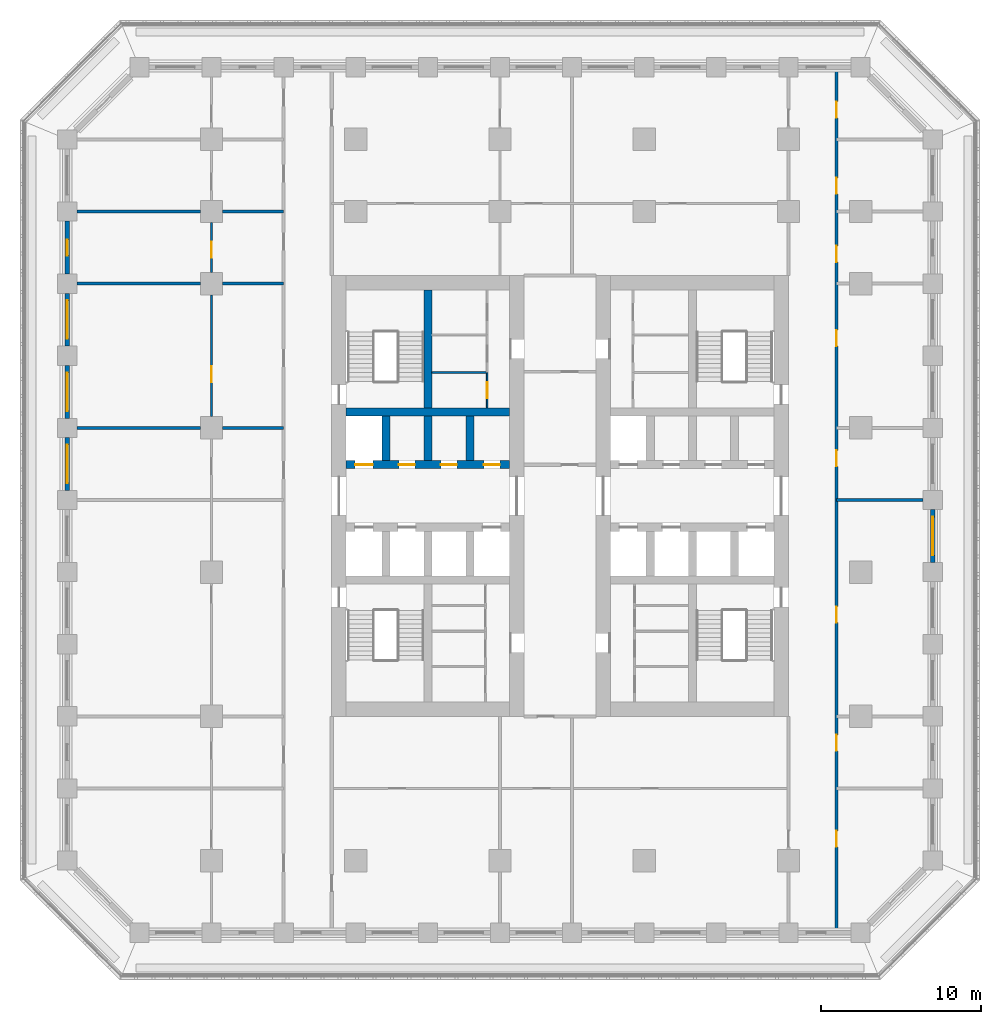
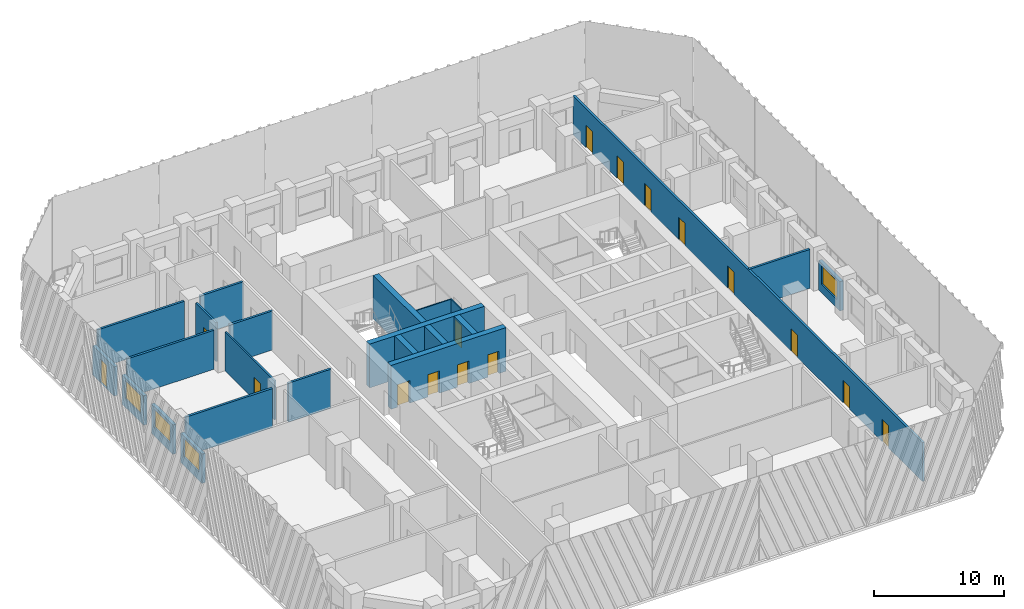
# One storey, part 6 of 19: 23 walls, 16 doors, 4 windows, 20 openings.
"""IFC4 building model written with IfcOpenShell, lengths in metres."""

from ifc_helpers import new_model, si_unit, direction, frame, frame_2d, origin, place, context, subcontext, project, spatial, rectangle, extrude, material, layer, layer_set, type_object, element, fill, save


model = new_model("IFC4")

# Units and contexts
model_context = context("Model", 3, precision=1e-05, world=origin(), true_north=direction((0.0, 1.0)))
body_context = subcontext(model_context, "Body", "Model", "MODEL_VIEW")
ifc_project = project(units=[si_unit("LENGTHUNIT", "METRE"), si_unit("AREAUNIT", "SQUARE_METRE"), si_unit("VOLUMEUNIT", "CUBIC_METRE"), si_unit("PLANEANGLEUNIT", "RADIAN"), si_unit("MASSUNIT", "GRAM", prefix="KILO")], contexts=[model_context])

# Site, building, storey
site_placement = place(None, origin())
site = spatial("IfcSite", under=ifc_project, at=site_placement, CompositionType="ELEMENT")
building_placement = place(site_placement, origin())
building = spatial("IfcBuilding", under=site, at=building_placement, Name="Corbel Stack Research Tower", CompositionType="ELEMENT")
storey_placement = place(building_placement, frame((0.0, 0.0, 133.10009765625)))
storey = spatial("IfcBuildingStorey", under=building, at=storey_placement, Name="L30", CompositionType="ELEMENT", Elevation=133.10009765625)

# Wall, openings, doors
ifc_material_1 = material(Name="Concrete C70/85", Category="concrete")
ifc_layer_1 = layer(ifc_material_1, 0.5)
ifc_layer_set_1 = layer_set([ifc_layer_1], Name="Concrete C70/85")
wall_type_1 = type_object("IfcWallType", Name="CW-500-70", PredefinedType="SHEAR", material=ifc_layer_set_1)
wall_1_placement = place(storey_placement, frame((-9.60009765625, 6.699951171875, 0.0), z_axis=(0.0, 0.0, 1.0), x_axis=(1.0, 0.0, 0.0)))
wall_1 = element("IfcWall", 1, at=wall_1_placement, inside=storey, type_object=wall_type_1, Name="West core wall, lobby north L30", PredefinedType="SHEAR", context=body_context, shape_type="SweptSolid", body=[
    extrude(rectangle(XDim=10.2001953125, YDim=0.5, at=frame_2d((5.10009765625, 0.0))), origin(), (0.0, 0.0, 1.0), 4.099853515625),
])
opening_1_placement = place(wall_1_placement, frame((0.5625, 0.0, 0.0)))
opening_1 = element("IfcOpeningElement", 2, at=opening_1_placement, cuts=wall_1, Name="Opening LD-LR2", PredefinedType="OPENING", context=body_context, shape_type="SweptSolid", body=[
    extrude(rectangle(XDim=1.10009765625, YDim=2.10009765625, at=frame_2d((0.550048828125, 1.050048828125))), frame((0.0, 0.260009765625, 0.0), z_axis=(0.0, -1.0, 0.0), x_axis=(1.0, 0.0, 0.0)), (0.0, 0.0, 1.0), 0.52001953125),
])
opening_2_placement = place(wall_1_placement, frame((3.28759765625, 0.0, 0.0)))
opening_2 = element("IfcOpeningElement", 3, at=opening_2_placement, cuts=wall_1, Name="Opening CR-W42-N2", PredefinedType="OPENING", context=body_context, shape_type="SweptSolid", body=[
    extrude(rectangle(XDim=1.0, YDim=2.10009765625, at=frame_2d((0.5, 1.050048828125))), frame((0.0, 0.260009765625, 0.0), z_axis=(0.0, -1.0, 0.0), x_axis=(1.0, 0.0, 0.0)), (0.0, 0.0, 1.0), 0.52001953125),
])
opening_3_placement = place(wall_1_placement, frame((5.91259765625, 0.0, 0.0)))
opening_3 = element("IfcOpeningElement", 4, at=opening_3_placement, cuts=wall_1, Name="Opening CR-W42-N3", PredefinedType="OPENING", context=body_context, shape_type="SweptSolid", body=[
    extrude(rectangle(XDim=1.0, YDim=2.10009765625, at=frame_2d((0.5, 1.050048828125))), frame((0.0, 0.260009765625, 0.0), z_axis=(0.0, -1.0, 0.0), x_axis=(1.0, 0.0, 0.0)), (0.0, 0.0, 1.0), 0.52001953125),
])
opening_4_placement = place(wall_1_placement, frame((8.58740234375, 0.0, 0.0)))
opening_4 = element("IfcOpeningElement", 5, at=opening_4_placement, cuts=wall_1, Name="Opening CR-W42-N4", PredefinedType="OPENING", context=body_context, shape_type="SweptSolid", body=[
    extrude(rectangle(XDim=1.0, YDim=2.10009765625, at=frame_2d((0.5, 1.050048828125))), frame((0.0, 0.260009765625, 0.0), z_axis=(0.0, -1.0, 0.0), x_axis=(1.0, 0.0, 0.0)), (0.0, 0.0, 1.0), 0.52001953125),
])
ifc_material_2 = material(Name="Stainless steel landing door", Category="steel")
door_type_1 = type_object("IfcDoorType", Name="Lift landing door 1100 x 2100", OperationType="DOUBLE_DOOR_SLIDING", PredefinedType="DOOR", material=ifc_material_2)
door_1_placement = place(opening_1_placement, origin())
door_1 = element("IfcDoor", 6, at=door_1_placement, inside=storey, type_object=door_type_1, Name="Landing door LR2", OperationType="DOUBLE_DOOR_SLIDING", OverallHeight=2.10009765625, OverallWidth=1.10009765625, PredefinedType="DOOR", context=body_context, shape_type="SweptSolid", body=[
    extrude(rectangle(XDim=1.10009765625, YDim=2.10009765625, at=frame_2d((0.550048828125, 1.050048828125))), frame((0.0, 0.02490234375, 0.0), z_axis=(0.0, -1.0, 0.0), x_axis=(1.0, 0.0, 0.0)), (0.0, 0.0, 1.0), 0.050048828125),
])
fill(opening_1, door_1)
ifc_material_3 = material(Name="Painted steel door", Category="steel")
door_type_2 = type_object("IfcDoorType", Name="Service door 1000 x 2100 FD60 left hand", OperationType="SINGLE_SWING_LEFT", PredefinedType="DOOR", material=ifc_material_3)
door_2_placement = place(opening_3_placement, origin())
door_2 = element("IfcDoor", 7, at=door_2_placement, inside=storey, type_object=door_type_2, Name="Pantry door W core", OperationType="SINGLE_SWING_LEFT", OverallHeight=2.10009765625, OverallWidth=1.0, PredefinedType="DOOR", context=body_context, shape_type="SweptSolid", body=[
    extrude(rectangle(XDim=1.0, YDim=2.10009765625, at=frame_2d((0.5, 1.050048828125))), frame((0.0, 0.02490234375, 0.0), z_axis=(0.0, -1.0, 0.0), x_axis=(1.0, 0.0, 0.0)), (0.0, 0.0, 1.0), 0.050048828125),
])
fill(opening_3, door_2)
ifc_material_4 = material(Name="Painted steel door", Category="steel")
door_type_3 = type_object("IfcDoorType", Name="Service door 1000 x 2100 FD60 right hand", OperationType="SINGLE_SWING_RIGHT", PredefinedType="DOOR", material=ifc_material_4)
door_3_placement = place(opening_2_placement, origin())
door_3 = element("IfcDoor", 8, at=door_3_placement, inside=storey, type_object=door_type_3, Name="Electrical room door W core", OperationType="SINGLE_SWING_RIGHT", OverallHeight=2.10009765625, OverallWidth=1.0, PredefinedType="DOOR", context=body_context, shape_type="SweptSolid", body=[
    extrude(rectangle(XDim=1.0, YDim=2.10009765625, at=frame_2d((0.5, 1.050048828125))), frame((0.0, 0.02490234375, 0.0), z_axis=(0.0, -1.0, 0.0), x_axis=(1.0, 0.0, 0.0)), (0.0, 0.0, 1.0), 0.050048828125),
])
fill(opening_2, door_3)
door_4_placement = place(opening_4_placement, origin())
door_4 = element("IfcDoor", 9, at=door_4_placement, inside=storey, type_object=door_type_3, Name="Staff WC door W core", OperationType="SINGLE_SWING_RIGHT", OverallHeight=2.10009765625, OverallWidth=1.0, PredefinedType="DOOR", context=body_context, shape_type="SweptSolid", body=[
    extrude(rectangle(XDim=1.0, YDim=2.10009765625, at=frame_2d((0.5, 1.050048828125))), frame((0.0, 0.02490234375, 0.0), z_axis=(0.0, -1.0, 0.0), x_axis=(1.0, 0.0, 0.0)), (0.0, 0.0, 1.0), 0.050048828125),
])
fill(opening_4, door_4)

# Walls
wall_2_placement = place(storey_placement, frame((-9.60009765625, 10.0, 0.0), z_axis=(0.0, 0.0, 1.0), x_axis=(1.0, 0.0, 0.0)))
element("IfcWall", 10, at=wall_2_placement, inside=storey, type_object=wall_type_1, Name="West core wall, north row back L30", PredefinedType="SHEAR", context=body_context, shape_type="SweptSolid", body=[
    extrude(rectangle(XDim=10.2001953125, YDim=0.5, at=frame_2d((5.10009765625, 0.0))), origin(), (0.0, 0.0, 1.0), 4.099853515625),
])
for number, where, z_axis, x_axis, name in (
    (11, (-7.125, 6.949951171875, 0.0), (0.0, 0.0, 1.0), (0.0, 1.0, 0.0), "West core wall, north shaft 1 L30"),
    (12, (-4.5, 6.949951171875, 0.0), (0.0, 0.0, 1.0), (0.0, 1.0, 0.0), "West core wall, north shaft 2 L30"),
    (13, (-1.875, 6.949951171875, 0.0), (0.0, 0.0, 1.0), (0.0, 1.0, 0.0), "West core wall, north shaft 3 L30"),
):
    element("IfcWall", number, at=place(storey_placement, frame(where, z_axis=z_axis, x_axis=x_axis)), inside=storey, type_object=wall_type_1, Name=name, PredefinedType="SHEAR", context=body_context, shape_type="SweptSolid", body=[
        extrude(rectangle(XDim=2.800048828125, YDim=0.5, at=frame_2d((1.39990234375, 0.0))), origin(), (0.0, 0.0, 1.0), 4.099853515625),
    ])
wall_3_placement = place(storey_placement, frame((-4.5, 10.25, 0.0), z_axis=(0.0, 0.0, 1.0), x_axis=(0.0, 1.0, 0.0)))
element("IfcWall", 14, at=wall_3_placement, inside=storey, type_object=wall_type_1, Name="West core wall, north stair and riser L30", PredefinedType="SHEAR", context=body_context, shape_type="SweptSolid", body=[
    extrude(rectangle(XDim=7.35009765625, YDim=0.5, at=frame_2d((3.675048828125, 0.0))), origin(), (0.0, 0.0, 1.0), 4.099853515625),
])

# Wall, opening, door
ifc_material_5 = material(Name="Gypsum board")
ifc_layer_2 = layer(ifc_material_5, 0.10009765625)
ifc_layer_set_2 = layer_set([ifc_layer_2], Name="Gypsum board")
wall_type_2 = type_object("IfcWallType", Name="Core partition 100", PredefinedType="PARTITIONING", material=ifc_layer_set_2)
wall_4_placement = place(storey_placement, frame((-0.800048828125, 10.25, 0.0), z_axis=(0.0, 0.0, 1.0), x_axis=(0.0, 1.0, 0.0)))
wall_4 = element("IfcWall", 15, at=wall_4_placement, inside=storey, type_object=wall_type_2, Name="Core partition W", PredefinedType="PARTITIONING", context=body_context, shape_type="SweptSolid", body=[
    extrude(rectangle(XDim=2.205078125, YDim=0.10009765625, at=frame_2d((1.1025390625, 0.0))), origin(), (0.0, 0.0, 1.0), 3.64990234375),
])
opening_5_placement = place(wall_4_placement, frame((0.6025390625, 0.0, 0.0)))
opening_5 = element("IfcOpeningElement", 16, at=opening_5_placement, cuts=wall_4, Name="Opening CR-W42-R2-1000", PredefinedType="OPENING", context=body_context, shape_type="SweptSolid", body=[
    extrude(rectangle(XDim=1.0, YDim=2.10009765625, at=frame_2d((0.5, 1.050048828125))), frame((0.0, 0.06005859375, 0.0), z_axis=(0.0, -1.0, 0.0), x_axis=(1.0, 0.0, 0.0)), (0.0, 0.0, 1.0), 0.1201171875),
])
ifc_material_6 = material(Name="Painted steel door", Category="steel")
door_type_4 = type_object("IfcDoorType", Name="Riser door 1000 x 2100 FD60 right hand", OperationType="SINGLE_SWING_RIGHT", PredefinedType="DOOR", material=ifc_material_6)
door_5_placement = place(opening_5_placement, origin())
door_5 = element("IfcDoor", 17, at=door_5_placement, inside=storey, type_object=door_type_4, Name="Mechanical riser door W core", OperationType="SINGLE_SWING_RIGHT", OverallHeight=2.10009765625, OverallWidth=1.0, PredefinedType="DOOR", context=body_context, shape_type="SweptSolid", body=[
    extrude(rectangle(XDim=1.0, YDim=2.10009765625, at=frame_2d((0.5, 1.050048828125))), frame((0.0, 0.02490234375, 0.0), z_axis=(0.0, -1.0, 0.0), x_axis=(1.0, 0.0, 0.0)), (0.0, 0.0, 1.0), 0.050048828125),
])
fill(opening_5, door_5)

# Wall
wall_5_placement = place(storey_placement, frame((-4.25, 12.455078125, 0.0), z_axis=(0.0, 0.0, 1.0), x_axis=(1.0, 0.0, 0.0)))
element("IfcWall", 18, at=wall_5_placement, inside=storey, type_object=wall_type_2, Name="Core partition W", PredefinedType="PARTITIONING", context=body_context, shape_type="SweptSolid", body=[
    extrude(rectangle(XDim=3.449951171875, YDim=0.10009765625, at=frame_2d((1.72509765625, 0.0))), origin(), (0.0, 0.0, 1.0), 3.64990234375),
])

# Wall, openings, doors
ifc_material_7 = material(Name="Fire-rated gypsum board partition on steel studs", Category="steel")
ifc_layer_3 = layer(ifc_material_7, 0.199951171875)
ifc_layer_set_3 = layer_set([ifc_layer_3], Name="Fire-rated gypsum board partition on steel studs")
wall_type_3 = type_object("IfcWallType", Name="Fire-rated partition 200 EI 60", PredefinedType="PARTITIONING", material=ifc_layer_set_3)
wall_6_placement = place(storey_placement, frame((21.0, 31.35009765625, 0.0), z_axis=(0.0, 0.0, 1.0), x_axis=(0.0, -1.0, 0.0)))
wall_6 = element("IfcWall", 19, at=wall_6_placement, inside=storey, type_object=wall_type_3, Name="Partition L30-024", PredefinedType="PARTITIONING", context=body_context, shape_type="SweptSolid", body=[
    extrude(rectangle(XDim=53.7001953125, YDim=0.199951171875, at=frame_2d((26.85009765625, 0.0))), origin(), (0.0, 0.0, 1.0), 3.64990234375),
])
opening_6_placement = place(wall_6_placement, frame((47.5, 0.0, 0.0)))
opening_6 = element("IfcOpeningElement", 20, at=opening_6_placement, cuts=wall_6, Name="Opening B4V1-028", PredefinedType="OPENING", context=body_context, shape_type="SweptSolid", body=[
    extrude(rectangle(XDim=1.0, YDim=2.10009765625, at=frame_2d((0.5, 1.050048828125))), frame((0.0, 0.10986328125, 0.0), z_axis=(0.0, -1.0, 0.0), x_axis=(1.0, 0.0, 0.0)), (0.0, 0.0, 1.0), 0.219970703125),
])
opening_7_placement = place(wall_6_placement, frame((41.5, 0.0, 0.0)))
opening_7 = element("IfcOpeningElement", 21, at=opening_7_placement, cuts=wall_6, Name="Opening B4V1-029", PredefinedType="OPENING", context=body_context, shape_type="SweptSolid", body=[
    extrude(rectangle(XDim=1.0, YDim=2.10009765625, at=frame_2d((0.5, 1.050048828125))), frame((0.0, 0.10986328125, 0.0), z_axis=(0.0, -1.0, 0.0), x_axis=(1.0, 0.0, 0.0)), (0.0, 0.0, 1.0), 0.219970703125),
])
opening_8_placement = place(wall_6_placement, frame((33.5, 0.0, 0.0)))
opening_8 = element("IfcOpeningElement", 22, at=opening_8_placement, cuts=wall_6, Name="Opening B4V1-030", PredefinedType="OPENING", context=body_context, shape_type="SweptSolid", body=[
    extrude(rectangle(XDim=1.0, YDim=2.10009765625, at=frame_2d((0.5, 1.050048828125))), frame((0.0, 0.10986328125, 0.0), z_axis=(0.0, -1.0, 0.0), x_axis=(1.0, 0.0, 0.0)), (0.0, 0.0, 1.0), 0.219970703125),
])
opening_9_placement = place(wall_6_placement, frame((23.75, 0.0, 0.0)))
opening_9 = element("IfcOpeningElement", 23, at=opening_9_placement, cuts=wall_6, Name="Opening B4V1-031", PredefinedType="OPENING", context=body_context, shape_type="SweptSolid", body=[
    extrude(rectangle(XDim=1.0, YDim=2.10009765625, at=frame_2d((0.5, 1.050048828125))), frame((0.0, 0.10986328125, 0.0), z_axis=(0.0, -1.0, 0.0), x_axis=(1.0, 0.0, 0.0)), (0.0, 0.0, 1.0), 0.219970703125),
])
opening_10_placement = place(wall_6_placement, frame((16.25, 0.0, 0.0)))
opening_10 = element("IfcOpeningElement", 24, at=opening_10_placement, cuts=wall_6, Name="Opening B4V1-032", PredefinedType="OPENING", context=body_context, shape_type="SweptSolid", body=[
    extrude(rectangle(XDim=1.0, YDim=2.10009765625, at=frame_2d((0.5, 1.050048828125))), frame((0.0, 0.10986328125, 0.0), z_axis=(0.0, -1.0, 0.0), x_axis=(1.0, 0.0, 0.0)), (0.0, 0.0, 1.0), 0.219970703125),
])
opening_11_placement = place(wall_6_placement, frame((11.0, 0.0, 0.0)))
opening_11 = element("IfcOpeningElement", 25, at=opening_11_placement, cuts=wall_6, Name="Opening B4V1-033", PredefinedType="OPENING", context=body_context, shape_type="SweptSolid", body=[
    extrude(rectangle(XDim=1.0, YDim=2.10009765625, at=frame_2d((0.5, 1.050048828125))), frame((0.0, 0.10986328125, 0.0), z_axis=(0.0, -1.0, 0.0), x_axis=(1.0, 0.0, 0.0)), (0.0, 0.0, 1.0), 0.219970703125),
])
opening_12_placement = place(wall_6_placement, frame((6.75, 0.0, 0.0)))
opening_12 = element("IfcOpeningElement", 26, at=opening_12_placement, cuts=wall_6, Name="Opening B4V1-034", PredefinedType="OPENING", context=body_context, shape_type="SweptSolid", body=[
    extrude(rectangle(XDim=1.0, YDim=2.10009765625, at=frame_2d((0.5, 1.050048828125))), frame((0.0, 0.10986328125, 0.0), z_axis=(0.0, -1.0, 0.0), x_axis=(1.0, 0.0, 0.0)), (0.0, 0.0, 1.0), 0.219970703125),
])
opening_13_placement = place(wall_6_placement, frame((2.0, 0.0, 0.0)))
opening_13 = element("IfcOpeningElement", 27, at=opening_13_placement, cuts=wall_6, Name="Opening B4V1-035", PredefinedType="OPENING", context=body_context, shape_type="SweptSolid", body=[
    extrude(rectangle(XDim=1.0, YDim=2.10009765625, at=frame_2d((0.5, 1.050048828125))), frame((0.0, 0.10986328125, 0.0), z_axis=(0.0, -1.0, 0.0), x_axis=(1.0, 0.0, 0.0)), (0.0, 0.0, 1.0), 0.219970703125),
])
ifc_material_8 = material(Name="Painted steel fire door", Category="steel")
door_type_5 = type_object("IfcDoorType", Name="Fire door FD30S 1000 x 2100", OperationType="NOTDEFINED", PredefinedType="DOOR", material=ifc_material_8)
door_6_placement = place(opening_6_placement, origin())
door_6 = element("IfcDoor", 28, at=door_6_placement, inside=storey, type_object=door_type_5, Name="Door B4V1-028", OperationType="SINGLE_SWING_RIGHT", OverallHeight=2.10009765625, OverallWidth=1.0, PredefinedType="DOOR", context=body_context, shape_type="SweptSolid", body=[
    extrude(rectangle(XDim=1.0, YDim=2.10009765625, at=frame_2d((0.5, 1.050048828125))), frame((0.0, 0.02490234375, 0.0), z_axis=(0.0, -1.0, 0.0), x_axis=(1.0, 0.0, 0.0)), (0.0, 0.0, 1.0), 0.050048828125),
])
fill(opening_6, door_6)
door_7_placement = place(opening_7_placement, origin())
door_7 = element("IfcDoor", 29, at=door_7_placement, inside=storey, type_object=door_type_5, Name="Door B4V1-029", OperationType="SINGLE_SWING_RIGHT", OverallHeight=2.10009765625, OverallWidth=1.0, PredefinedType="DOOR", context=body_context, shape_type="SweptSolid", body=[
    extrude(rectangle(XDim=1.0, YDim=2.10009765625, at=frame_2d((0.5, 1.050048828125))), frame((0.0, 0.02490234375, 0.0), z_axis=(0.0, -1.0, 0.0), x_axis=(1.0, 0.0, 0.0)), (0.0, 0.0, 1.0), 0.050048828125),
])
fill(opening_7, door_7)
door_8_placement = place(opening_8_placement, origin())
door_8 = element("IfcDoor", 30, at=door_8_placement, inside=storey, type_object=door_type_5, Name="Door B4V1-030", OperationType="SINGLE_SWING_RIGHT", OverallHeight=2.10009765625, OverallWidth=1.0, PredefinedType="DOOR", context=body_context, shape_type="SweptSolid", body=[
    extrude(rectangle(XDim=1.0, YDim=2.10009765625, at=frame_2d((0.5, 1.050048828125))), frame((0.0, 0.02490234375, 0.0), z_axis=(0.0, -1.0, 0.0), x_axis=(1.0, 0.0, 0.0)), (0.0, 0.0, 1.0), 0.050048828125),
])
fill(opening_8, door_8)
door_9_placement = place(opening_9_placement, origin())
door_9 = element("IfcDoor", 31, at=door_9_placement, inside=storey, type_object=door_type_5, Name="Door B4V1-031", OperationType="SINGLE_SWING_LEFT", OverallHeight=2.10009765625, OverallWidth=1.0, PredefinedType="DOOR", context=body_context, shape_type="SweptSolid", body=[
    extrude(rectangle(XDim=1.0, YDim=2.10009765625, at=frame_2d((0.5, 1.050048828125))), frame((0.0, 0.02490234375, 0.0), z_axis=(0.0, -1.0, 0.0), x_axis=(1.0, 0.0, 0.0)), (0.0, 0.0, 1.0), 0.050048828125),
])
fill(opening_9, door_9)
door_10_placement = place(opening_10_placement, origin())
door_10 = element("IfcDoor", 32, at=door_10_placement, inside=storey, type_object=door_type_5, Name="Door B4V1-032", OperationType="SINGLE_SWING_LEFT", OverallHeight=2.10009765625, OverallWidth=1.0, PredefinedType="DOOR", context=body_context, shape_type="SweptSolid", body=[
    extrude(rectangle(XDim=1.0, YDim=2.10009765625, at=frame_2d((0.5, 1.050048828125))), frame((0.0, 0.02490234375, 0.0), z_axis=(0.0, -1.0, 0.0), x_axis=(1.0, 0.0, 0.0)), (0.0, 0.0, 1.0), 0.050048828125),
])
fill(opening_10, door_10)
door_11_placement = place(opening_11_placement, origin())
door_11 = element("IfcDoor", 33, at=door_11_placement, inside=storey, type_object=door_type_5, Name="Door B4V1-033", OperationType="SINGLE_SWING_LEFT", OverallHeight=2.10009765625, OverallWidth=1.0, PredefinedType="DOOR", context=body_context, shape_type="SweptSolid", body=[
    extrude(rectangle(XDim=1.0, YDim=2.10009765625, at=frame_2d((0.5, 1.050048828125))), frame((0.0, 0.02490234375, 0.0), z_axis=(0.0, -1.0, 0.0), x_axis=(1.0, 0.0, 0.0)), (0.0, 0.0, 1.0), 0.050048828125),
])
fill(opening_11, door_11)
door_12_placement = place(opening_12_placement, origin())
door_12 = element("IfcDoor", 34, at=door_12_placement, inside=storey, type_object=door_type_5, Name="Door B4V1-034", OperationType="SINGLE_SWING_LEFT", OverallHeight=2.10009765625, OverallWidth=1.0, PredefinedType="DOOR", context=body_context, shape_type="SweptSolid", body=[
    extrude(rectangle(XDim=1.0, YDim=2.10009765625, at=frame_2d((0.5, 1.050048828125))), frame((0.0, 0.02490234375, 0.0), z_axis=(0.0, -1.0, 0.0), x_axis=(1.0, 0.0, 0.0)), (0.0, 0.0, 1.0), 0.050048828125),
])
fill(opening_12, door_12)
door_13_placement = place(opening_13_placement, origin())
door_13 = element("IfcDoor", 35, at=door_13_placement, inside=storey, type_object=door_type_5, Name="Door B4V1-035", OperationType="SINGLE_SWING_LEFT", OverallHeight=2.10009765625, OverallWidth=1.0, PredefinedType="DOOR", context=body_context, shape_type="SweptSolid", body=[
    extrude(rectangle(XDim=1.0, YDim=2.10009765625, at=frame_2d((0.5, 1.050048828125))), frame((0.0, 0.02490234375, 0.0), z_axis=(0.0, -1.0, 0.0), x_axis=(1.0, 0.0, 0.0)), (0.0, 0.0, 1.0), 0.050048828125),
])
fill(opening_13, door_13)

# Walls
wall_7_placement = place(storey_placement, frame((21.0, 4.5, 0.0), z_axis=(0.0, 0.0, 1.0), x_axis=(1.0, 0.0, 0.0)))
element("IfcWall", 36, at=wall_7_placement, inside=storey, type_object=wall_type_3, Name="Partition L30-034", PredefinedType="PARTITIONING", context=body_context, shape_type="SweptSolid", body=[
    extrude(rectangle(XDim=5.39990234375, YDim=0.199951171875, at=frame_2d((2.699951171875, 0.0))), origin(), (0.0, 0.0, 1.0), 3.64990234375),
])
wall_8_placement = place(storey_placement, frame((-26.39990234375, 9.0, 0.0), z_axis=(0.0, 0.0, 1.0), x_axis=(1.0, 0.0, 0.0)))
element("IfcWall", 37, at=wall_8_placement, inside=storey, type_object=wall_type_3, Name="Partition L30-036", PredefinedType="PARTITIONING", context=body_context, shape_type="SweptSolid", body=[
    extrude(rectangle(XDim=7.699951171875, YDim=0.199951171875, at=frame_2d((3.85009765625, 0.0))), origin(), (0.0, 0.0, 1.0), 3.64990234375),
])
wall_9_placement = place(storey_placement, frame((-17.300048828125, 9.0, 0.0), z_axis=(0.0, 0.0, 1.0), x_axis=(1.0, 0.0, 0.0)))
element("IfcWall", 38, at=wall_9_placement, inside=storey, type_object=wall_type_3, Name="Partition L30-037", PredefinedType="PARTITIONING", context=body_context, shape_type="SweptSolid", body=[
    extrude(rectangle(XDim=3.800048828125, YDim=0.199951171875, at=frame_2d((1.89990234375, 0.0))), origin(), (0.0, 0.0, 1.0), 3.64990234375),
])
wall_10_placement = place(storey_placement, frame((-26.39990234375, 18.0, 0.0), z_axis=(0.0, 0.0, 1.0), x_axis=(1.0, 0.0, 0.0)))
element("IfcWall", 39, at=wall_10_placement, inside=storey, type_object=wall_type_3, Name="Partition L30-041", PredefinedType="PARTITIONING", context=body_context, shape_type="SweptSolid", body=[
    extrude(rectangle(XDim=7.699951171875, YDim=0.199951171875, at=frame_2d((3.85009765625, 0.0))), origin(), (0.0, 0.0, 1.0), 3.64990234375),
])
wall_11_placement = place(storey_placement, frame((-17.300048828125, 18.0, 0.0), z_axis=(0.0, 0.0, 1.0), x_axis=(1.0, 0.0, 0.0)))
element("IfcWall", 40, at=wall_11_placement, inside=storey, type_object=wall_type_3, Name="Partition L30-042", PredefinedType="PARTITIONING", context=body_context, shape_type="SweptSolid", body=[
    extrude(rectangle(XDim=3.800048828125, YDim=0.199951171875, at=frame_2d((1.89990234375, 0.0))), origin(), (0.0, 0.0, 1.0), 3.64990234375),
])
wall_12_placement = place(storey_placement, frame((-26.39990234375, 22.5, 0.0), z_axis=(0.0, 0.0, 1.0), x_axis=(1.0, 0.0, 0.0)))
element("IfcWall", 41, at=wall_12_placement, inside=storey, type_object=wall_type_3, Name="Partition L30-046", PredefinedType="PARTITIONING", context=body_context, shape_type="SweptSolid", body=[
    extrude(rectangle(XDim=7.699951171875, YDim=0.199951171875, at=frame_2d((3.85009765625, 0.0))), origin(), (0.0, 0.0, 1.0), 3.64990234375),
])
wall_13_placement = place(storey_placement, frame((-17.300048828125, 22.5, 0.0), z_axis=(0.0, 0.0, 1.0), x_axis=(1.0, 0.0, 0.0)))
element("IfcWall", 42, at=wall_13_placement, inside=storey, type_object=wall_type_3, Name="Partition L30-047", PredefinedType="PARTITIONING", context=body_context, shape_type="SweptSolid", body=[
    extrude(rectangle(XDim=3.800048828125, YDim=0.199951171875, at=frame_2d((1.89990234375, 0.0))), origin(), (0.0, 0.0, 1.0), 3.64990234375),
])

# Wall, opening, door
ifc_material_9 = material(Name="Gypsum board partition on steel studs", Category="steel")
ifc_layer_4 = layer(ifc_material_9, 0.14990234375)
ifc_layer_set_4 = layer_set([ifc_layer_4], Name="Gypsum board partition on steel studs")
wall_type_4 = type_object("IfcWallType", Name="Partition 150", PredefinedType="PARTITIONING", material=ifc_layer_set_4)
wall_14_placement = place(storey_placement, frame((-18.0, 9.699951171875, 0.0), z_axis=(0.0, 0.0, 1.0), x_axis=(0.0, 1.0, 0.0)))
wall_14 = element("IfcWall", 43, at=wall_14_placement, inside=storey, type_object=wall_type_4, Name="Partition L30-005", PredefinedType="PARTITIONING", context=body_context, shape_type="SweptSolid", body=[
    extrude(rectangle(XDim=7.60009765625, YDim=0.14990234375, at=frame_2d((3.800048828125, 0.0))), origin(), (0.0, 0.0, 1.0), 3.64990234375),
])
opening_14_placement = place(wall_14_placement, frame((2.14990234375, 0.0, 0.0)))
opening_14 = element("IfcOpeningElement", 44, at=opening_14_placement, cuts=wall_14, Name="Opening B4V1-005", PredefinedType="OPENING", context=body_context, shape_type="SweptSolid", body=[
    extrude(rectangle(XDim=1.0, YDim=2.10009765625, at=frame_2d((0.5, 1.050048828125))), frame((0.0, 0.0849609375, 0.0), z_axis=(0.0, -1.0, 0.0), x_axis=(1.0, 0.0, 0.0)), (0.0, 0.0, 1.0), 0.169921875),
])
ifc_material_10 = material(Name="Painted timber door", Category="wood")
door_type_6 = type_object("IfcDoorType", Name="Single door 1000 x 2100", OperationType="NOTDEFINED", PredefinedType="DOOR", material=ifc_material_10)
door_14_placement = place(opening_14_placement, origin())
door_14 = element("IfcDoor", 45, at=door_14_placement, inside=storey, type_object=door_type_6, Name="Door B4V1-005", OperationType="SINGLE_SWING_LEFT", OverallHeight=2.10009765625, OverallWidth=1.0, PredefinedType="DOOR", context=body_context, shape_type="SweptSolid", body=[
    extrude(rectangle(XDim=1.0, YDim=2.10009765625, at=frame_2d((0.5, 1.050048828125))), frame((0.0, 0.02490234375, 0.0), z_axis=(0.0, -1.0, 0.0), x_axis=(1.0, 0.0, 0.0)), (0.0, 0.0, 1.0), 0.050048828125),
])
fill(opening_14, door_14)

wall_15_placement = place(storey_placement, frame((-18.0, 18.699951171875, 0.0), z_axis=(0.0, 0.0, 1.0), x_axis=(0.0, 1.0, 0.0)))
wall_15 = element("IfcWall", 46, at=wall_15_placement, inside=storey, type_object=wall_type_4, Name="Partition L30-006", PredefinedType="PARTITIONING", context=body_context, shape_type="SweptSolid", body=[
    extrude(rectangle(XDim=3.10009765625, YDim=0.14990234375, at=frame_2d((1.550048828125, 0.0))), origin(), (0.0, 0.0, 1.0), 3.64990234375),
])
opening_15_placement = place(wall_15_placement, frame((0.89990234375, 0.0, 0.0)))
opening_15 = element("IfcOpeningElement", 47, at=opening_15_placement, cuts=wall_15, Name="Opening B4V1-006", PredefinedType="OPENING", context=body_context, shape_type="SweptSolid", body=[
    extrude(rectangle(XDim=1.0, YDim=2.10009765625, at=frame_2d((0.5, 1.050048828125))), frame((0.0, 0.0849609375, 0.0), z_axis=(0.0, -1.0, 0.0), x_axis=(1.0, 0.0, 0.0)), (0.0, 0.0, 1.0), 0.169921875),
])
door_15_placement = place(opening_15_placement, origin())
door_15 = element("IfcDoor", 48, at=door_15_placement, inside=storey, type_object=door_type_6, Name="Door B4V1-006", OperationType="SINGLE_SWING_LEFT", OverallHeight=2.10009765625, OverallWidth=1.0, PredefinedType="DOOR", context=body_context, shape_type="SweptSolid", body=[
    extrude(rectangle(XDim=1.0, YDim=2.10009765625, at=frame_2d((0.5, 1.050048828125))), frame((0.0, 0.02490234375, 0.0), z_axis=(0.0, -1.0, 0.0), x_axis=(1.0, 0.0, 0.0)), (0.0, 0.0, 1.0), 0.050048828125),
])
fill(opening_15, door_15)

# Wall, opening, window
ifc_material_11 = material(Name="Concrete C45/55", Category="concrete")
ifc_layer_5 = layer(ifc_material_11, 0.300048828125)
ifc_layer_set_5 = layer_set([ifc_layer_5], Name="Concrete C45/55")
wall_type_5 = type_object("IfcWallType", Name="Terracotta-faced concrete wall 300", PredefinedType="SOLIDWALL", material=ifc_layer_set_5)
wall_16_placement = place(storey_placement, frame((27.0, 3.89990234375, 0.0), z_axis=(0.0, 0.0, 1.0), x_axis=(0.0, -1.0, 0.0)))
wall_16 = element("IfcWall", 49, at=wall_16_placement, inside=storey, type_object=wall_type_5, Name="Facade wall L30 E05", PredefinedType="SOLIDWALL", context=body_context, shape_type="SweptSolid", body=[
    extrude(rectangle(XDim=3.2998046875, YDim=0.300048828125, at=frame_2d((1.64990234375, 0.0))), origin(), (0.0, 0.0, 1.0), 2.75),
])
opening_16_placement = place(wall_16_placement, frame((0.449951171875, 0.0, 0.800048828125)))
opening_16 = element("IfcOpeningElement", 50, at=opening_16_placement, cuts=wall_16, Name="Opening W1", PredefinedType="OPENING", context=body_context, shape_type="SweptSolid", body=[
    extrude(rectangle(XDim=2.39990234375, YDim=1.699951171875, at=frame_2d((1.199951171875, 0.85009765625))), frame((0.0, 0.159912109375, 0.0), z_axis=(0.0, -1.0, 0.0), x_axis=(1.0, 0.0, 0.0)), (0.0, 0.0, 1.0), 0.320068359375),
])
ifc_material_12 = material(Name="Aluminium frame, clear double glazing", Category="aluminium")
window_type = type_object("IfcWindowType", Name="Window W1 2400 x 1700", PartitioningType="SINGLE_PANEL", PredefinedType="WINDOW", material=ifc_material_12)
window_1_placement = place(opening_16_placement, origin())
window_1 = element("IfcWindow", 51, at=window_1_placement, inside=storey, type_object=window_type, Name="Window W1 L30 E05", OverallHeight=1.699951171875, OverallWidth=2.39990234375, PartitioningType="SINGLE_PANEL", PredefinedType="WINDOW", context=body_context, shape_type="SweptSolid", body=[
    extrude(rectangle(XDim=2.39990234375, YDim=1.699951171875, at=frame_2d((1.199951171875, 0.85009765625))), frame((0.0, 0.030029296875, 0.0), z_axis=(0.0, -1.0, 0.0), x_axis=(1.0, 0.0, 0.0)), (0.0, 0.0, 1.0), 0.06005859375),
])
fill(opening_16, window_1)

# Wall, opening, door
wall_17_placement = place(storey_placement, frame((-27.0, 18.60009765625, 0.0), z_axis=(0.0, 0.0, 1.0), x_axis=(0.0, 1.0, 0.0)))
wall_17 = element("IfcWall", 52, at=wall_17_placement, inside=storey, type_object=wall_type_5, Name="Facade wall L30 W02", PredefinedType="SOLIDWALL", context=body_context, shape_type="SweptSolid", body=[
    extrude(rectangle(XDim=3.2998046875, YDim=0.300048828125, at=frame_2d((1.64990234375, 0.0))), origin(), (0.0, 0.0, 1.0), 2.75),
])
opening_17_placement = place(wall_17_placement, frame((1.14990234375, 0.0, 0.0)))
opening_17 = element("IfcOpeningElement", 53, at=opening_17_placement, cuts=wall_17, Name="Opening L30-B10", PredefinedType="OPENING", context=body_context, shape_type="SweptSolid", body=[
    extrude(rectangle(XDim=1.0, YDim=2.199951171875, at=frame_2d((0.5, 1.10009765625))), frame((0.0, 0.159912109375, 0.0), z_axis=(0.0, -1.0, 0.0), x_axis=(1.0, 0.0, 0.0)), (0.0, 0.0, 1.0), 0.320068359375),
])
ifc_material_13 = material(Name="Aluminium frame, clear double glazing", Category="aluminium")
door_type_7 = type_object("IfcDoorType", Name="Balcony door BD1 1000 x 2200", OperationType="NOTDEFINED", PredefinedType="DOOR", material=ifc_material_13)
door_16_placement = place(opening_17_placement, origin())
door_16 = element("IfcDoor", 54, at=door_16_placement, inside=storey, type_object=door_type_7, Name="Balcony door L30-B10", OperationType="SINGLE_SWING_RIGHT", OverallHeight=2.199951171875, OverallWidth=1.0, PredefinedType="DOOR", context=body_context, shape_type="SweptSolid", body=[
    extrude(rectangle(XDim=1.0, YDim=2.199951171875, at=frame_2d((0.5, 1.10009765625))), frame((0.0, 0.02490234375, 0.0), z_axis=(0.0, -1.0, 0.0), x_axis=(1.0, 0.0, 0.0)), (0.0, 0.0, 1.0), 0.050048828125),
])
fill(opening_17, door_16)

# Wall, opening, window
wall_18_placement = place(storey_placement, frame((-27.0, 14.10009765625, 0.0), z_axis=(0.0, 0.0, 1.0), x_axis=(0.0, 1.0, 0.0)))
wall_18 = element("IfcWall", 55, at=wall_18_placement, inside=storey, type_object=wall_type_5, Name="Facade wall L30 W03", PredefinedType="SOLIDWALL", context=body_context, shape_type="SweptSolid", body=[
    extrude(rectangle(XDim=3.2998046875, YDim=0.300048828125, at=frame_2d((1.64990234375, 0.0))), origin(), (0.0, 0.0, 1.0), 2.75),
])
opening_18_placement = place(wall_18_placement, frame((0.449951171875, 0.0, 0.800048828125)))
opening_18 = element("IfcOpeningElement", 56, at=opening_18_placement, cuts=wall_18, Name="Opening W1", PredefinedType="OPENING", context=body_context, shape_type="SweptSolid", body=[
    extrude(rectangle(XDim=2.39990234375, YDim=1.699951171875, at=frame_2d((1.199951171875, 0.85009765625))), frame((0.0, 0.159912109375, 0.0), z_axis=(0.0, -1.0, 0.0), x_axis=(1.0, 0.0, 0.0)), (0.0, 0.0, 1.0), 0.320068359375),
])
window_2_placement = place(opening_18_placement, origin())
window_2 = element("IfcWindow", 57, at=window_2_placement, inside=storey, type_object=window_type, Name="Window W1 L30 W03", OverallHeight=1.699951171875, OverallWidth=2.39990234375, PartitioningType="SINGLE_PANEL", PredefinedType="WINDOW", context=body_context, shape_type="SweptSolid", body=[
    extrude(rectangle(XDim=2.39990234375, YDim=1.699951171875, at=frame_2d((1.199951171875, 0.85009765625))), frame((0.0, 0.030029296875, 0.0), z_axis=(0.0, -1.0, 0.0), x_axis=(1.0, 0.0, 0.0)), (0.0, 0.0, 1.0), 0.06005859375),
])
fill(opening_18, window_2)

wall_19_placement = place(storey_placement, frame((-27.0, 9.60009765625, 0.0), z_axis=(0.0, 0.0, 1.0), x_axis=(0.0, 1.0, 0.0)))
wall_19 = element("IfcWall", 58, at=wall_19_placement, inside=storey, type_object=wall_type_5, Name="Facade wall L30 W04", PredefinedType="SOLIDWALL", context=body_context, shape_type="SweptSolid", body=[
    extrude(rectangle(XDim=3.2998046875, YDim=0.300048828125, at=frame_2d((1.64990234375, 0.0))), origin(), (0.0, 0.0, 1.0), 2.75),
])
opening_19_placement = place(wall_19_placement, frame((0.449951171875, 0.0, 0.800048828125)))
opening_19 = element("IfcOpeningElement", 59, at=opening_19_placement, cuts=wall_19, Name="Opening W1", PredefinedType="OPENING", context=body_context, shape_type="SweptSolid", body=[
    extrude(rectangle(XDim=2.39990234375, YDim=1.699951171875, at=frame_2d((1.199951171875, 0.85009765625))), frame((0.0, 0.159912109375, 0.0), z_axis=(0.0, -1.0, 0.0), x_axis=(1.0, 0.0, 0.0)), (0.0, 0.0, 1.0), 0.320068359375),
])
window_3_placement = place(opening_19_placement, origin())
window_3 = element("IfcWindow", 60, at=window_3_placement, inside=storey, type_object=window_type, Name="Window W1 L30 W04", OverallHeight=1.699951171875, OverallWidth=2.39990234375, PartitioningType="SINGLE_PANEL", PredefinedType="WINDOW", context=body_context, shape_type="SweptSolid", body=[
    extrude(rectangle(XDim=2.39990234375, YDim=1.699951171875, at=frame_2d((1.199951171875, 0.85009765625))), frame((0.0, 0.030029296875, 0.0), z_axis=(0.0, -1.0, 0.0), x_axis=(1.0, 0.0, 0.0)), (0.0, 0.0, 1.0), 0.06005859375),
])
fill(opening_19, window_3)

wall_20_placement = place(storey_placement, frame((-27.0, 5.10009765625, 0.0), z_axis=(0.0, 0.0, 1.0), x_axis=(0.0, 1.0, 0.0)))
wall_20 = element("IfcWall", 61, at=wall_20_placement, inside=storey, type_object=wall_type_5, Name="Facade wall L30 W05", PredefinedType="SOLIDWALL", context=body_context, shape_type="SweptSolid", body=[
    extrude(rectangle(XDim=3.2998046875, YDim=0.300048828125, at=frame_2d((1.64990234375, 0.0))), origin(), (0.0, 0.0, 1.0), 2.75),
])
opening_20_placement = place(wall_20_placement, frame((0.449951171875, 0.0, 0.800048828125)))
opening_20 = element("IfcOpeningElement", 62, at=opening_20_placement, cuts=wall_20, Name="Opening W1", PredefinedType="OPENING", context=body_context, shape_type="SweptSolid", body=[
    extrude(rectangle(XDim=2.39990234375, YDim=1.699951171875, at=frame_2d((1.199951171875, 0.85009765625))), frame((0.0, 0.159912109375, 0.0), z_axis=(0.0, -1.0, 0.0), x_axis=(1.0, 0.0, 0.0)), (0.0, 0.0, 1.0), 0.320068359375),
])
window_4_placement = place(opening_20_placement, origin())
window_4 = element("IfcWindow", 63, at=window_4_placement, inside=storey, type_object=window_type, Name="Window W1 L30 W05", OverallHeight=1.699951171875, OverallWidth=2.39990234375, PartitioningType="SINGLE_PANEL", PredefinedType="WINDOW", context=body_context, shape_type="SweptSolid", body=[
    extrude(rectangle(XDim=2.39990234375, YDim=1.699951171875, at=frame_2d((1.199951171875, 0.85009765625))), frame((0.0, 0.030029296875, 0.0), z_axis=(0.0, -1.0, 0.0), x_axis=(1.0, 0.0, 0.0)), (0.0, 0.0, 1.0), 0.06005859375),
])
fill(opening_20, window_4)

save(model, "model.ifc")
